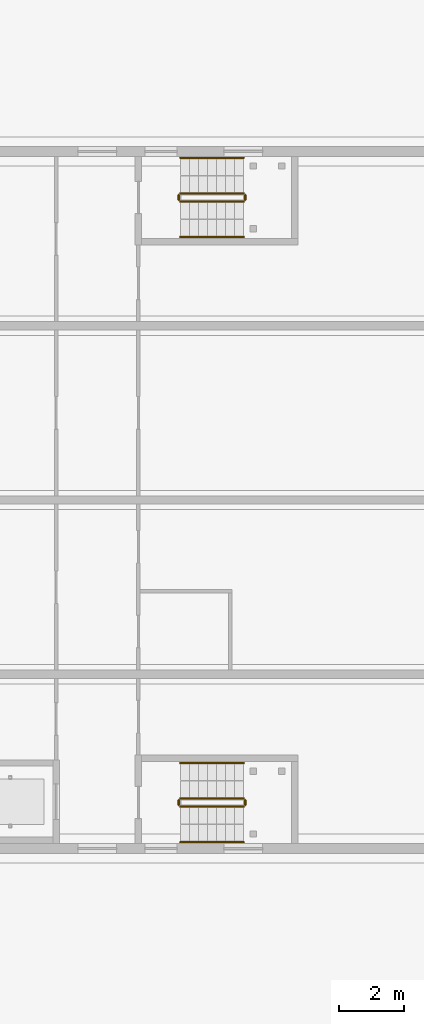
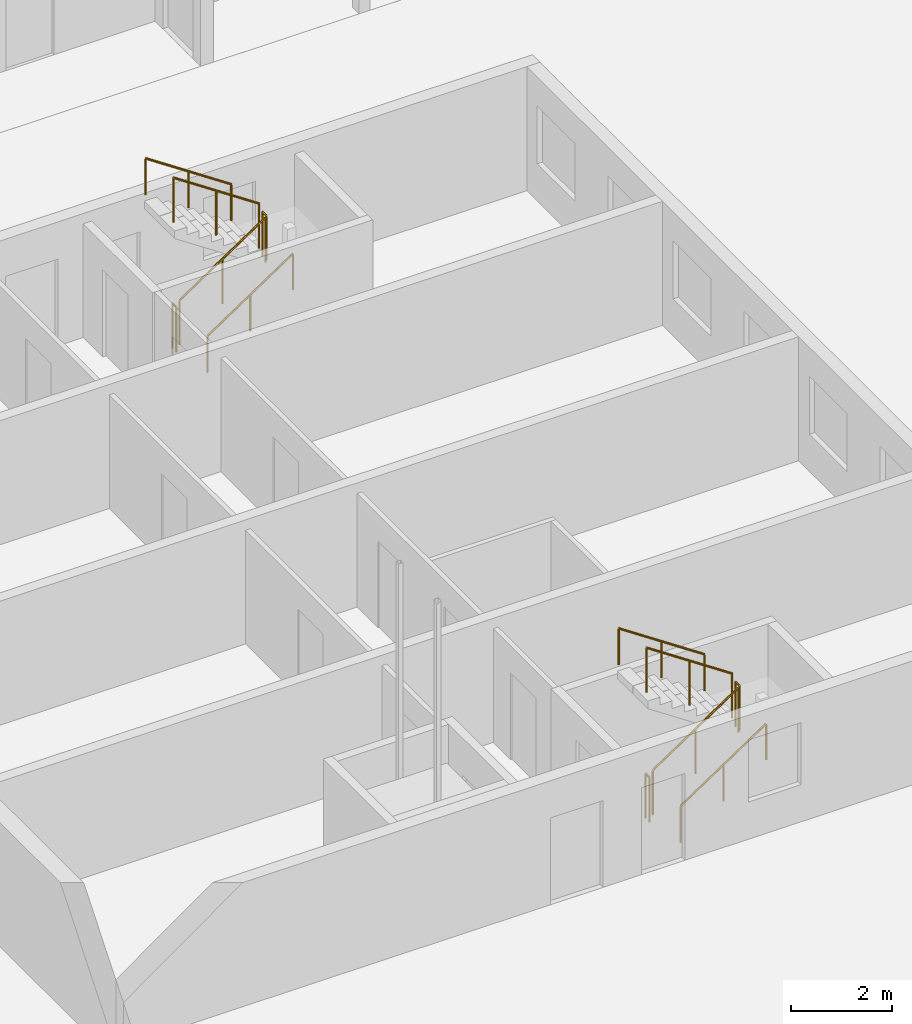
# One storey, part 100 of 112: 12 railings.
"""IFC4 building model written with IfcOpenShell, lengths in metres."""

from ifc_helpers import new_model, si_unit, direction, frame, origin, origin_2d, place, context, subcontext, project, spatial, circle, extrude, material, type_object, element, save


model = new_model("IFC4")

# Units and contexts
model_context = context("Model", 3, precision=1e-05, world=origin(), true_north=direction((0.0, 1.0)))
body_context = subcontext(model_context, "Body", "Model", "MODEL_VIEW")
ifc_project = project(units=[si_unit("LENGTHUNIT", "METRE"), si_unit("AREAUNIT", "SQUARE_METRE"), si_unit("VOLUMEUNIT", "CUBIC_METRE"), si_unit("PLANEANGLEUNIT", "RADIAN"), si_unit("MASSUNIT", "GRAM", prefix="KILO")], contexts=[model_context])

# Site, building, storey
site_placement = place(None, origin())
site = spatial("IfcSite", under=ifc_project, at=site_placement, CompositionType="ELEMENT")
building_placement = place(site_placement, origin())
building = spatial("IfcBuilding", under=site, at=building_placement, Name="Ridgestep Commons", CompositionType="ELEMENT")
storey_placement = place(building_placement, origin())
storey = spatial("IfcBuildingStorey", under=building, at=storey_placement, Name="L00", CompositionType="ELEMENT", Elevation=0.0)

# Railings
ifc_material_1 = material(Name="Structural steel S355JR", Category="steel")
railing_type_1 = type_object("IfcRailingType", Name="Community stair guard 1100", PredefinedType="GUARDRAIL", material=ifc_material_1)
railing_1_placement = place(storey_placement, frame((158.14990234375, 38.89990234375, 0.1875)))
element("IfcRailing", 1, at=railing_1_placement, inside=storey, type_object=railing_type_1, Name="L00 AE-ST0 stair guard 1", PredefinedType="GUARDRAIL", context=body_context, shape_type="SweptSolid", body=[
    extrude(circle(Radius=0.02392578125, at=origin_2d()), frame((0.0, 0.0, 1.076171875), z_axis=(0.830934089858, 0.0, 0.556370864003), x_axis=(0.0, 1.0, 0.0)), (0.0, 0.0, 1.0), 2.359130859375),
    extrude(circle(Radius=0.02099609375, at=origin_2d()), origin(), (0.0, 0.0, 1.0), 1.052001953125),
    extrude(circle(Radius=0.02099609375, at=origin_2d()), frame((0.97998046875, 0.0, 0.65625)), (0.0, 0.0, 1.0), 1.052001953125),
    extrude(circle(Radius=0.02099609375, at=origin_2d()), frame((1.960205078125, 0.0, 1.3125)), (0.0, 0.0, 1.0), 1.052001953125),
])
railing_2_placement = place(storey_placement, frame((160.159912109375, 38.949951171875, 1.5)))
element("IfcRailing", 2, at=railing_2_placement, inside=storey, type_object=railing_type_1, Name="L00 AE-ST0 stair guard 2", PredefinedType="GUARDRAIL", context=body_context, shape_type="SweptSolid", body=[
    extrude(circle(Radius=0.02392578125, at=origin_2d()), frame((0.0, 0.0, 1.076171875), z_axis=(0.0, 1.0, 0.0), x_axis=(-1.0, 0.0, 0.0)), (0.0, 0.0, 1.0), 0.150146484375),
    extrude(circle(Radius=0.02099609375, at=origin_2d()), origin(), (0.0, 0.0, 1.0), 1.052001953125),
    extrude(circle(Radius=0.02099609375, at=origin_2d()), frame((0.0, 0.150146484375, 0.0)), (0.0, 0.0, 1.0), 1.052001953125),
])
railing_3_placement = place(storey_placement, frame((160.110107421875, 39.14990234375, 1.6875)))
element("IfcRailing", 3, at=railing_3_placement, inside=storey, type_object=railing_type_1, Name="L00 AE-ST0 stair guard 3", PredefinedType="GUARDRAIL", context=body_context, shape_type="SweptSolid", body=[
    extrude(circle(Radius=0.02392578125, at=origin_2d()), frame((0.0, 0.0, 1.076171875), z_axis=(-0.830934089858, 0.0, 0.556370864003), x_axis=(0.0, -1.0, 0.0)), (0.0, 0.0, 1.0), 2.359130859375),
    extrude(circle(Radius=0.02099609375, at=origin_2d()), origin(), (0.0, 0.0, 1.0), 1.052001953125),
    extrude(circle(Radius=0.02099609375, at=origin_2d()), frame((-0.97998046875, 0.0, 0.65625)), (0.0, 0.0, 1.0), 1.052001953125),
    extrude(circle(Radius=0.02099609375, at=origin_2d()), frame((-1.960205078125, 0.0, 1.3125)), (0.0, 0.0, 1.0), 1.052001953125),
])
railing_4_placement = place(storey_placement, frame((158.10009765625, 38.949951171875, 0.0)))
element("IfcRailing", 4, at=railing_4_placement, inside=storey, type_object=railing_type_1, Name="L00 AE-ST0 stair guard 4", PredefinedType="GUARDRAIL", context=body_context, shape_type="SweptSolid", body=[
    extrude(circle(Radius=0.02392578125, at=origin_2d()), frame((0.0, 0.0, 1.076171875), z_axis=(0.0, 1.0, 0.0), x_axis=(-1.0, 0.0, 0.0)), (0.0, 0.0, 1.0), 0.150146484375),
    extrude(circle(Radius=0.02099609375, at=origin_2d()), origin(), (0.0, 0.0, 1.0), 1.052001953125),
    extrude(circle(Radius=0.02099609375, at=origin_2d()), frame((0.0, 0.150146484375, 0.0)), (0.0, 0.0, 1.0), 1.052001953125),
])
railing_5_placement = place(storey_placement, frame((158.14990234375, 57.64990234375, 0.1875)))
element("IfcRailing", 5, at=railing_5_placement, inside=storey, type_object=railing_type_1, Name="L00 AE-ST3 stair guard 1", PredefinedType="GUARDRAIL", context=body_context, shape_type="SweptSolid", body=[
    extrude(circle(Radius=0.02392578125, at=origin_2d()), frame((0.0, 0.0, 1.076171875), z_axis=(0.830934089858, 0.0, 0.556370864003), x_axis=(0.0, 1.0, 0.0)), (0.0, 0.0, 1.0), 2.359130859375),
    extrude(circle(Radius=0.02099609375, at=origin_2d()), origin(), (0.0, 0.0, 1.0), 1.052001953125),
    extrude(circle(Radius=0.02099609375, at=origin_2d()), frame((0.97998046875, 0.0, 0.65625)), (0.0, 0.0, 1.0), 1.052001953125),
    extrude(circle(Radius=0.02099609375, at=origin_2d()), frame((1.960205078125, 0.0, 1.3125)), (0.0, 0.0, 1.0), 1.052001953125),
])
railing_6_placement = place(storey_placement, frame((160.159912109375, 57.699951171875, 1.5)))
element("IfcRailing", 6, at=railing_6_placement, inside=storey, type_object=railing_type_1, Name="L00 AE-ST3 stair guard 2", PredefinedType="GUARDRAIL", context=body_context, shape_type="SweptSolid", body=[
    extrude(circle(Radius=0.02392578125, at=origin_2d()), frame((0.0, 0.0, 1.076171875), z_axis=(0.0, 1.0, 0.0), x_axis=(-1.0, 0.0, 0.0)), (0.0, 0.0, 1.0), 0.150146484375),
    extrude(circle(Radius=0.02099609375, at=origin_2d()), origin(), (0.0, 0.0, 1.0), 1.052001953125),
    extrude(circle(Radius=0.02099609375, at=origin_2d()), frame((0.0, 0.150146484375, 0.0)), (0.0, 0.0, 1.0), 1.052001953125),
])
railing_7_placement = place(storey_placement, frame((160.110107421875, 57.89990234375, 1.6875)))
element("IfcRailing", 7, at=railing_7_placement, inside=storey, type_object=railing_type_1, Name="L00 AE-ST3 stair guard 3", PredefinedType="GUARDRAIL", context=body_context, shape_type="SweptSolid", body=[
    extrude(circle(Radius=0.02392578125, at=origin_2d()), frame((0.0, 0.0, 1.076171875), z_axis=(-0.830934089858, 0.0, 0.556370864003), x_axis=(0.0, -1.0, 0.0)), (0.0, 0.0, 1.0), 2.359130859375),
    extrude(circle(Radius=0.02099609375, at=origin_2d()), origin(), (0.0, 0.0, 1.0), 1.052001953125),
    extrude(circle(Radius=0.02099609375, at=origin_2d()), frame((-0.97998046875, 0.0, 0.65625)), (0.0, 0.0, 1.0), 1.052001953125),
    extrude(circle(Radius=0.02099609375, at=origin_2d()), frame((-1.960205078125, 0.0, 1.3125)), (0.0, 0.0, 1.0), 1.052001953125),
])
railing_8_placement = place(storey_placement, frame((158.10009765625, 57.699951171875, 0.0)))
element("IfcRailing", 8, at=railing_8_placement, inside=storey, type_object=railing_type_1, Name="L00 AE-ST3 stair guard 4", PredefinedType="GUARDRAIL", context=body_context, shape_type="SweptSolid", body=[
    extrude(circle(Radius=0.02392578125, at=origin_2d()), frame((0.0, 0.0, 1.076171875), z_axis=(0.0, 1.0, 0.0), x_axis=(-1.0, 0.0, 0.0)), (0.0, 0.0, 1.0), 0.150146484375),
    extrude(circle(Radius=0.02099609375, at=origin_2d()), origin(), (0.0, 0.0, 1.0), 1.052001953125),
    extrude(circle(Radius=0.02099609375, at=origin_2d()), frame((0.0, 0.150146484375, 0.0)), (0.0, 0.0, 1.0), 1.052001953125),
])
ifc_material_2 = material(Name="Structural steel S355JR", Category="steel")
railing_type_2 = type_object("IfcRailingType", Name="Community stair handrail 900", PredefinedType="HANDRAIL", material=ifc_material_2)
railing_9_placement = place(storey_placement, frame((158.14990234375, 37.800048828125, 0.1875)))
element("IfcRailing", 9, at=railing_9_placement, inside=storey, type_object=railing_type_2, Name="L00 AE-ST0 stair handrail 1", PredefinedType="HANDRAIL", context=body_context, shape_type="SweptSolid", body=[
    extrude(circle(Radius=0.02392578125, at=origin_2d()), frame((0.0, 0.0, 0.8759765625), z_axis=(0.830934089858, 0.0, 0.556370864003), x_axis=(0.0, 1.0, 0.0)), (0.0, 0.0, 1.0), 2.359130859375),
    extrude(circle(Radius=0.02099609375, at=origin_2d()), origin(), (0.0, 0.0, 1.0), 0.851806640625),
    extrude(circle(Radius=0.02099609375, at=origin_2d()), frame((0.97998046875, 0.0, 0.65625)), (0.0, 0.0, 1.0), 0.851806640625),
    extrude(circle(Radius=0.02099609375, at=origin_2d()), frame((1.960205078125, 0.0, 1.3125)), (0.0, 0.0, 1.0), 0.851806640625),
])
railing_10_placement = place(storey_placement, frame((160.110107421875, 40.25, 1.6875)))
element("IfcRailing", 10, at=railing_10_placement, inside=storey, type_object=railing_type_2, Name="L00 AE-ST0 stair handrail 2", PredefinedType="HANDRAIL", context=body_context, shape_type="SweptSolid", body=[
    extrude(circle(Radius=0.02392578125, at=origin_2d()), frame((0.0, 0.0, 0.8759765625), z_axis=(-0.830934089858, 0.0, 0.556370864003), x_axis=(0.0, -1.0, 0.0)), (0.0, 0.0, 1.0), 2.359130859375),
    extrude(circle(Radius=0.02099609375, at=origin_2d()), origin(), (0.0, 0.0, 1.0), 0.851806640625),
    extrude(circle(Radius=0.02099609375, at=origin_2d()), frame((-0.97998046875, 0.0, 0.65625)), (0.0, 0.0, 1.0), 0.851806640625),
    extrude(circle(Radius=0.02099609375, at=origin_2d()), frame((-1.960205078125, 0.0, 1.3125)), (0.0, 0.0, 1.0), 0.851806640625),
])
railing_11_placement = place(storey_placement, frame((158.14990234375, 56.550048828125, 0.1875)))
element("IfcRailing", 11, at=railing_11_placement, inside=storey, type_object=railing_type_2, Name="L00 AE-ST3 stair handrail 1", PredefinedType="HANDRAIL", context=body_context, shape_type="SweptSolid", body=[
    extrude(circle(Radius=0.02392578125, at=origin_2d()), frame((0.0, 0.0, 0.8759765625), z_axis=(0.830934089858, 0.0, 0.556370864003), x_axis=(0.0, 1.0, 0.0)), (0.0, 0.0, 1.0), 2.359130859375),
    extrude(circle(Radius=0.02099609375, at=origin_2d()), origin(), (0.0, 0.0, 1.0), 0.851806640625),
    extrude(circle(Radius=0.02099609375, at=origin_2d()), frame((0.97998046875, 0.0, 0.65625)), (0.0, 0.0, 1.0), 0.851806640625),
    extrude(circle(Radius=0.02099609375, at=origin_2d()), frame((1.960205078125, 0.0, 1.3125)), (0.0, 0.0, 1.0), 0.851806640625),
])
railing_12_placement = place(storey_placement, frame((160.110107421875, 59.0, 1.6875)))
element("IfcRailing", 12, at=railing_12_placement, inside=storey, type_object=railing_type_2, Name="L00 AE-ST3 stair handrail 2", PredefinedType="HANDRAIL", context=body_context, shape_type="SweptSolid", body=[
    extrude(circle(Radius=0.02392578125, at=origin_2d()), frame((0.0, 0.0, 0.8759765625), z_axis=(-0.830934089858, 0.0, 0.556370864003), x_axis=(0.0, -1.0, 0.0)), (0.0, 0.0, 1.0), 2.359130859375),
    extrude(circle(Radius=0.02099609375, at=origin_2d()), origin(), (0.0, 0.0, 1.0), 0.851806640625),
    extrude(circle(Radius=0.02099609375, at=origin_2d()), frame((-0.97998046875, 0.0, 0.65625)), (0.0, 0.0, 1.0), 0.851806640625),
    extrude(circle(Radius=0.02099609375, at=origin_2d()), frame((-1.960205078125, 0.0, 1.3125)), (0.0, 0.0, 1.0), 0.851806640625),
])

save(model, "model.ifc")
